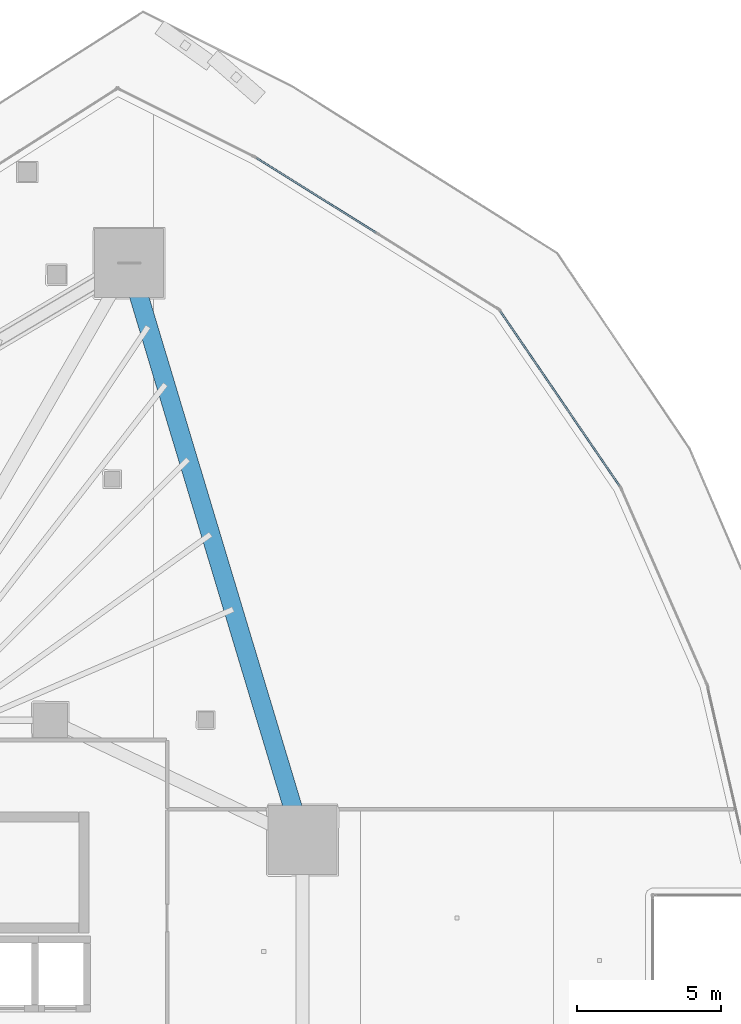
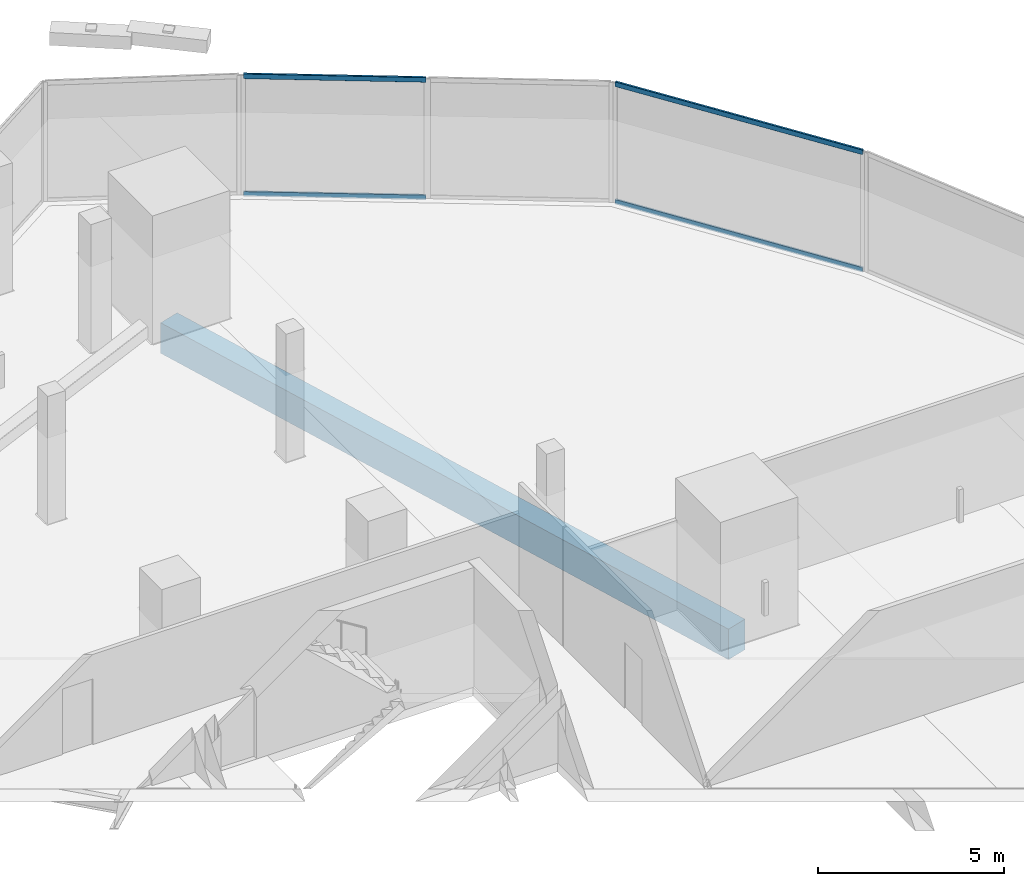
# One storey, part 21 of 45: 4 members, 1 beam, 2 elements without a shape of their own.
"""IFC4 building model written with IfcOpenShell, lengths in metres."""

from ifc_helpers import new_model, si_unit, direction, frame, origin, origin_2d, place, context, subcontext, project, spatial, rectangle, hollow_rectangle, extrude, material, layer, layer_set, material_profile, profile_set, type_object, element, aggregate, save


model = new_model("IFC4")

# Units and contexts
model_context = context("Model", 3, precision=1e-05, world=origin(), true_north=direction((0.0, 1.0)))
body_context = subcontext(model_context, "Body", "Model", "MODEL_VIEW")
ifc_project = project(units=[si_unit("LENGTHUNIT", "METRE"), si_unit("AREAUNIT", "SQUARE_METRE"), si_unit("VOLUMEUNIT", "CUBIC_METRE"), si_unit("PLANEANGLEUNIT", "RADIAN"), si_unit("MASSUNIT", "GRAM", prefix="KILO")], contexts=[model_context])

# Site, building, storey
site_placement = place(None, origin())
site = spatial("IfcSite", under=ifc_project, at=site_placement, CompositionType="ELEMENT")
building_placement = place(site_placement, origin())
building = spatial("IfcBuilding", under=site, at=building_placement, Name="Qorvath Tower", CompositionType="ELEMENT")
storey_placement = place(building_placement, frame((0.0, 0.0, 49.199951171875)))
storey = spatial("IfcBuildingStorey", under=building, at=storey_placement, Name="L10", CompositionType="ELEMENT", Elevation=49.199951171875)

# Beam
ifc_material_1 = material(Name="Concrete C50/60", Category="concrete")
ifc_material_profile_1 = material_profile(ifc_material_1, rectangle(XDim=0.64990234375, YDim=1.0, at=origin_2d()), Name="RCB 1000x650")
ifc_profile_set_1 = profile_set([ifc_material_profile_1], Name="Concrete C50/60")
beam_type = type_object("IfcBeamType", Name="BM-RCB1", PredefinedType="SPANDREL", material=ifc_profile_set_1)
beam_placement = place(storey_placement, frame((-8.430419921875, 7.2763671875, -0.780029296875), z_axis=(-0.288118908799, 0.957594639914, 0.0), x_axis=(-0.957594639914, -0.288118908799, 0.0)))
element("IfcBeam", 1, at=beam_placement, inside=storey, type_object=beam_type, Name="Perimeter Loggia Frame Beam MC5-MC6 L10", PredefinedType="SPANDREL", context=body_context, shape_type="SweptSolid", body=[
    extrude(rectangle(XDim=0.64990234375, YDim=1.0, at=origin_2d()), origin(), (0.0, 0.0, 1.0), 20.942626953125),
])

# Curtain wall, members
ifc_material_2 = material(Name="Anodised aluminium and triple low-E glass", Category="aluminium")
ifc_layer = layer(ifc_material_2, 0.179931640625)
ifc_layer_set = layer_set([ifc_layer], Name="CW-SYS-2")
curtain_wall_type = type_object("IfcCurtainWallType", Name="CW-SYS-2", PredefinedType="NOTDEFINED", material=ifc_layer_set)
curtain_wall_1_placement = place(storey_placement, origin())
curtain_wall_1 = element("IfcCurtainWall", 2, at=curtain_wall_1_placement, inside=storey, type_object=curtain_wall_type, Name="Curtain Wall CW-2 CW-T-L10-13.1", PredefinedType="NOTDEFINED")
ifc_material_3 = material(Name="Anodised aluminium 6063-T6", Category="aluminium")
ifc_material_profile_2 = material_profile(ifc_material_3, hollow_rectangle(XDim=0.06494140625, YDim=0.159912109375, WallThickness=0.00341796875, InnerFilletRadius=0.00341796875, OuterFilletRadius=0.007080078125, at=origin_2d()), Name="CWT 160x65")
ifc_profile_set_2 = profile_set([ifc_material_profile_2], Name="Anodised aluminium 6063-T6")
member_type = type_object("IfcMemberType", Name="CWT-160", PredefinedType="USERDEFINED", material=ifc_profile_set_2)
member_1_placement = place(storey_placement, frame((2.586669921875, 19.5830078125, 0.032470703125), z_axis=(-0.56390431925, 0.825840129039, 0.0), x_axis=(-0.825840129039, -0.56390431925, 0.0)))
member_1 = element("IfcMember", 3, at=member_1_placement, type_object=member_type, Name="CW-2 transom 1.1", ObjectType="TRANSOM", PredefinedType="USERDEFINED", context=body_context, shape_type="SweptSolid", body=[
    extrude(hollow_rectangle(XDim=0.06494140625, YDim=0.159912109375, WallThickness=0.00341796875, InnerFilletRadius=0.00341796875, OuterFilletRadius=0.007080078125, at=origin_2d()), origin(), (0.0, 0.0, 1.0), 7.366943359375),
])
member_2_placement = place(storey_placement, frame((2.586669921875, 19.5830078125, 3.8876953125), z_axis=(-0.56390431925, 0.825840129039, 0.0), x_axis=(-0.825840129039, -0.56390431925, 0.0)))
member_2 = element("IfcMember", 4, at=member_2_placement, type_object=member_type, Name="CW-2 transom 1.2", ObjectType="TRANSOM", PredefinedType="USERDEFINED", context=body_context, shape_type="SweptSolid", body=[
    extrude(hollow_rectangle(XDim=0.06494140625, YDim=0.159912109375, WallThickness=0.00341796875, InnerFilletRadius=0.00341796875, OuterFilletRadius=0.007080078125, at=origin_2d()), origin(), (0.0, 0.0, 1.0), 7.366943359375),
])
aggregate(curtain_wall_1, [member_1, member_2])

curtain_wall_2_placement = place(storey_placement, origin())
curtain_wall_2 = element("IfcCurtainWall", 5, at=curtain_wall_2_placement, inside=storey, type_object=curtain_wall_type, Name="Curtain Wall CW-2 CW-T-L10-14.1", PredefinedType="NOTDEFINED")
member_3_placement = place(storey_placement, frame((-5.87548828125, 28.388427734375, 0.032470703125), z_axis=(-0.848174397851, 0.52971708565, 0.0), x_axis=(-0.52971708565, -0.848174397851, 0.0)))
member_3 = element("IfcMember", 6, at=member_3_placement, type_object=member_type, Name="CW-2 transom 2.1", ObjectType="TRANSOM", PredefinedType="USERDEFINED", context=body_context, shape_type="SweptSolid", body=[
    extrude(hollow_rectangle(XDim=0.06494140625, YDim=0.159912109375, WallThickness=0.00341796875, InnerFilletRadius=0.00341796875, OuterFilletRadius=0.007080078125, at=origin_2d()), origin(), (0.0, 0.0, 1.0), 4.90576171875),
])
member_4_placement = place(storey_placement, frame((-5.87548828125, 28.388427734375, 3.8876953125), z_axis=(-0.848174397851, 0.52971708565, 0.0), x_axis=(-0.52971708565, -0.848174397851, 0.0)))
member_4 = element("IfcMember", 7, at=member_4_placement, type_object=member_type, Name="CW-2 transom 2.2", ObjectType="TRANSOM", PredefinedType="USERDEFINED", context=body_context, shape_type="SweptSolid", body=[
    extrude(hollow_rectangle(XDim=0.06494140625, YDim=0.159912109375, WallThickness=0.00341796875, InnerFilletRadius=0.00341796875, OuterFilletRadius=0.007080078125, at=origin_2d()), origin(), (0.0, 0.0, 1.0), 4.90576171875),
])
aggregate(curtain_wall_2, [member_3, member_4])

save(model, "model.ifc")
